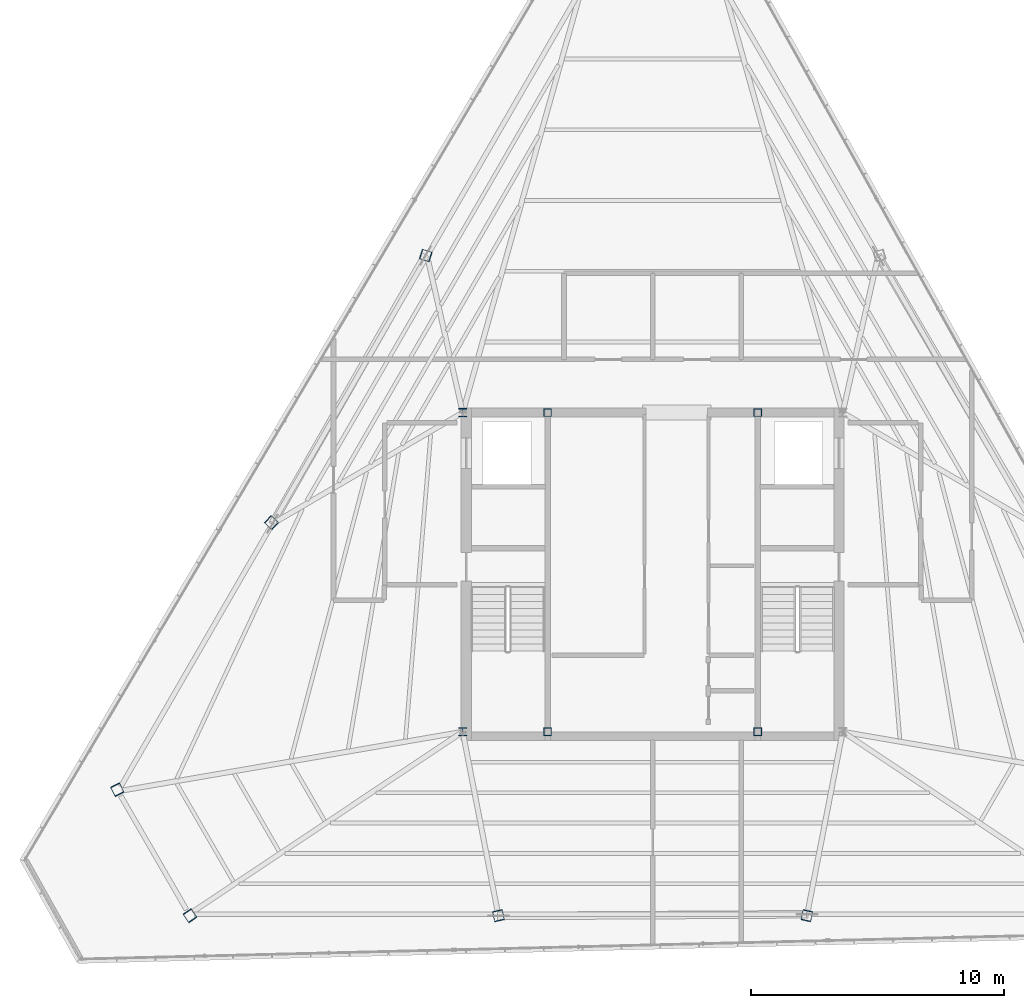
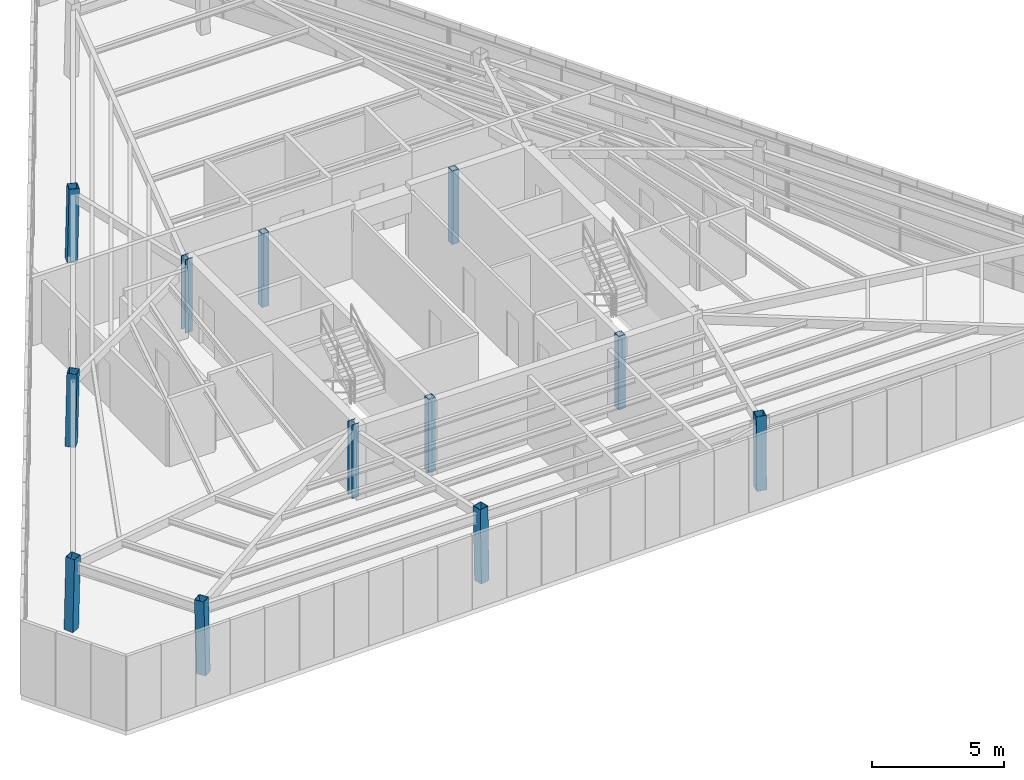
# One storey, part 1 of 44: 12 columns.
"""IFC4 building model written with IfcOpenShell, lengths in metres."""

import ifcopenshell
import ifcopenshell.guid

model = None  # the IFC model being written
_history = None  # IfcOwnerHistory: only IFC2X3 demands one
_inside = {}  # id of a spatial element -> (the spatial element, [elements in it])
_under = {}  # id of a project, library or spatial element -> (it, [spatial elements below it])
_declared = {}  # id of a project -> (the project, [libraries it declares])
_typed = {}  # id of a type object -> (the type object, [elements of that type])
_made_of = {}  # id of a material, layer set ... -> (it, [elements and type objects made of it])


def new_model(schema):
    """Start an empty IFC model of exactly this schema.

    Asked for "IFC4X3", IfcOpenShell would pick the latest addendum, in which some entities
    have other attributes; the version numbers below select the first issue.
    IFC2X3 requires an IfcOwnerHistory on every rooted entity: one is made here for all.
    """
    global model, _history
    if schema == "IFC4X3":
        model = ifcopenshell.file(schema_version=(4, 3, 0, 0))
    else:
        model = ifcopenshell.file(schema=schema)
    _inside.clear()
    _under.clear()
    _declared.clear()
    _typed.clear()
    _made_of.clear()
    _history = None
    if model.schema == "IFC2X3":
        org = make("IfcOrganization", Name="unknown")
        user = make(
            "IfcPersonAndOrganization",
            ThePerson=make("IfcPerson", FamilyName="unknown"),
            TheOrganization=org,
        )
        app = make(
            "IfcApplication",
            ApplicationDeveloper=org,
            Version="unknown",
            ApplicationFullName="unknown",
            ApplicationIdentifier="unknown",
        )
        _history = make(
            "IfcOwnerHistory",
            OwningUser=user,
            OwningApplication=app,
            ChangeAction="ADDED",
            CreationDate=0,
        )
    return model


def make(cls, **values):
    """One entity of the class cls with the attributes given. An attribute that is None is left unset."""
    return model.create_entity(
        cls, **{name: value for name, value in values.items() if value is not None}
    )


def rooted(cls, **values):
    """An entity with a GlobalId (a new one), such as an element, a storey or a relation."""
    return make(cls, GlobalId=ifcopenshell.guid.new(), OwnerHistory=_history, **values)


def si_unit(unit_type, name, prefix=None):
    """IfcSIUnit, for example si_unit("LENGTHUNIT", "METRE", prefix="MILLI")."""
    return make("IfcSIUnit", UnitType=unit_type, Prefix=prefix, Name=name)


def assignment(units):
    """IfcUnitAssignment: the units of a project."""
    return None if units is None else make("IfcUnitAssignment", Units=units)


def point(xyz):
    """IfcCartesianPoint."""
    return None if xyz is None else make("IfcCartesianPoint", Coordinates=xyz)


def direction(xyz):
    """IfcDirection."""
    return None if xyz is None else make("IfcDirection", DirectionRatios=xyz)


def frame(location, z_axis=None, x_axis=None):
    """IfcAxis2Placement3D, a coordinate frame: its origin and axes. An axis left out is left unset."""
    return make(
        "IfcAxis2Placement3D",
        Location=point(location),
        Axis=direction(z_axis),
        RefDirection=direction(x_axis),
    )


def frame_2d(location, x_axis=None):
    """IfcAxis2Placement2D, a coordinate frame in the plane: its origin and x axis."""
    return make(
        "IfcAxis2Placement2D", Location=point(location), RefDirection=direction(x_axis)
    )


def origin():
    """The frame at (0, 0, 0) with its axes left unset."""
    return frame((0.0, 0.0, 0.0))


def origin_2d():
    """The frame at (0, 0) in the plane with its x axis left unset."""
    return frame_2d((0.0, 0.0))


def place(relative_to, where):
    """IfcLocalPlacement: puts the frame where relative to a parent placement (None: the world)."""
    return make(
        "IfcLocalPlacement", PlacementRelTo=relative_to, RelativePlacement=where
    )


def context(
    kind, dimensions, precision=None, world=None, true_north=None, identifier=None
):
    """IfcGeometricRepresentationContext, for example the 3D "Model" context."""
    return make(
        "IfcGeometricRepresentationContext",
        ContextIdentifier=identifier,
        ContextType=kind,
        CoordinateSpaceDimension=dimensions,
        Precision=precision,
        WorldCoordinateSystem=world,
        TrueNorth=true_north,
    )


def subcontext(parent, identifier, kind, view, scale=None):
    """IfcGeometricRepresentationSubContext, for example "Body" below "Model"."""
    return make(
        "IfcGeometricRepresentationSubContext",
        ContextIdentifier=identifier,
        ContextType=kind,
        ParentContext=parent,
        TargetScale=scale,
        TargetView=view,
    )


def project(units=None, contexts=None):
    """IfcProject with its units and contexts."""
    return rooted(
        "IfcProject",
        Name="project",
        RepresentationContexts=contexts,
        UnitsInContext=assignment(units),
    )


def spatial(cls, under=None, at=None, **own):
    """A site, building, storey or space (cls), placed at a placement, below another one or the project."""
    s = rooted(cls, ObjectPlacement=at, **own)
    if under is not None:
        _under.setdefault(under.id(), (under, []))[1].append(s)
    return s


def profile(cls, at=None, kind="AREA", **sizes):
    """A parametric profile (cls). Its sizes go by their IFC names, for example OverallWidth=200.0."""
    return make(cls, ProfileType=kind, Position=at, **sizes)


def hollow_rectangle(**sizes):
    """IfcRectangleHollowProfileDef."""
    return profile("IfcRectangleHollowProfileDef", **sizes)


def i_section(**sizes):
    """IfcIShapeProfileDef."""
    return profile("IfcIShapeProfileDef", **sizes)


def extrude(swept, where, along, depth):
    """IfcExtrudedAreaSolid: the profile swept, set in the frame where, extruded along a direction by depth."""
    return make(
        "IfcExtrudedAreaSolid",
        SweptArea=swept,
        Position=where,
        ExtrudedDirection=direction(along),
        Depth=depth,
    )


def shape(context_of_items, identifier, shape_type, items):
    """IfcShapeRepresentation: the items that make up one representation, for example the "Body"."""
    return make(
        "IfcShapeRepresentation",
        ContextOfItems=context_of_items,
        RepresentationIdentifier=identifier,
        RepresentationType=shape_type,
        Items=items,
    )


def source(mapping_origin, context_of_items, identifier, shape_type, items):
    """IfcRepresentationMap: a shape defined once, which mapped items show again and again."""
    return make(
        "IfcRepresentationMap",
        MappingOrigin=mapping_origin,
        MappedRepresentation=shape(context_of_items, identifier, shape_type, items),
    )


def transform(
    local_origin,
    x_axis=None,
    y_axis=None,
    z_axis=None,
    scale=None,
    scale2=None,
    scale3=None,
    uniform=True,
):
    """IfcCartesianTransformationOperator3D, or its non-uniform kind. x_axis, y_axis, z_axis: its Axis1, 2, 3."""
    if uniform:
        return make(
            "IfcCartesianTransformationOperator3D",
            Axis1=direction(x_axis),
            Axis2=direction(y_axis),
            LocalOrigin=point(local_origin),
            Scale=scale,
            Axis3=direction(z_axis),
        )
    return make(
        "IfcCartesianTransformationOperator3DnonUniform",
        Axis1=direction(x_axis),
        Axis2=direction(y_axis),
        LocalOrigin=point(local_origin),
        Scale=scale,
        Axis3=direction(z_axis),
        Scale2=scale2,
        Scale3=scale3,
    )


def mapped(mapping_source, mapping_target):
    """IfcMappedItem: shows the shape of a source again, moved by a transform."""
    return make(
        "IfcMappedItem", MappingSource=mapping_source, MappingTarget=mapping_target
    )


def material(Name=None, Category=None):
    """IfcMaterial."""
    return make("IfcMaterial", Name=Name, Category=Category)


def material_profile(
    of_material, cross_section, Name=None, Category=None, Priority=None
):
    """IfcMaterialProfile: a cross section and its material."""
    return make(
        "IfcMaterialProfile",
        Name=Name,
        Material=of_material,
        Profile=cross_section,
        Priority=Priority,
        Category=Category,
    )


def profile_set(profiles, Name=None, composite=None):
    """IfcMaterialProfileSet."""
    return make(
        "IfcMaterialProfileSet",
        Name=Name,
        MaterialProfiles=profiles,
        CompositeProfile=composite,
    )


def made_of(thing, what):
    """Note that an element or type object is made of a material, layer set ...; save() writes the relation."""
    if what is not None:
        _made_of.setdefault(what.id(), (what, []))[1].append(thing)
    return thing


def type_object(cls, material=None, **own):
    """A type object (cls), such as IfcWallType, which elements share."""
    return made_of(rooted(cls, **own), material)


def type_shapes(of_type, sources):
    """Give a type object the sources (RepresentationMaps) that its elements show as mapped items."""
    of_type.RepresentationMaps = sources


def element(
    cls,
    number,
    at=None,
    inside=None,
    cuts=None,
    type_object=None,
    material=None,
    context=None,
    identifier="Body",
    shape_type=None,
    held_by="IfcProductDefinitionShape",
    body=None,
    shapes=None,
    **own,
):
    """One element of the class cls, such as IfcWall. Its Tag is "e" and its number.

    at: its placement. inside: the storey or other place that contains it. cuts: it is an
    opening in that element (IfcRelVoidsElement). A single representation is given by context,
    identifier, shape_type and body (its items); several are given by shapes. held_by: the class
    of the entity that holds the representations. save() writes the other relations.
    """
    e = rooted(cls, Tag="e%d" % number, ObjectPlacement=at, **own)
    if body is not None:
        shapes = [shape(context, identifier, shape_type, body)]
    if shapes is not None:
        e.Representation = make(held_by, Representations=shapes)
    if inside is not None:
        _inside.setdefault(inside.id(), (inside, []))[1].append(e)
    if cuts is not None:
        rooted(
            "IfcRelVoidsElement", RelatingBuildingElement=cuts, RelatedOpeningElement=e
        )
    if type_object is not None:
        _typed.setdefault(type_object.id(), (type_object, []))[1].append(e)
    return made_of(e, material)


def aggregate(whole, parts):
    """IfcRelAggregates: a whole, such as a stair, and the parts it consists of."""
    return rooted("IfcRelAggregates", RelatingObject=whole, RelatedObjects=parts)


def save(model, path):
    """Write the relations noted so far, then the file.

    IfcRelAggregates (storeys below a building ...), IfcRelContainedInSpatialStructure (elements
    in a storey), IfcRelDefinesByType, IfcRelAssociatesMaterial and IfcRelDeclares: one each for
    every whole, place, type object, material and project.
    """
    for whole, parts in _under.values():
        aggregate(whole, parts)
    for where, things in _inside.values():
        rooted(
            "IfcRelContainedInSpatialStructure",
            RelatedElements=things,
            RelatingStructure=where,
        )
    for kind, things in _typed.values():
        rooted("IfcRelDefinesByType", RelatedObjects=things, RelatingType=kind)
    for what, things in _made_of.values():
        rooted("IfcRelAssociatesMaterial", RelatedObjects=things, RelatingMaterial=what)
    for by, libraries in _declared.values():
        rooted("IfcRelDeclares", RelatingContext=by, RelatedDefinitions=libraries)
    model.write(path)


model = new_model("IFC4")

# Units and contexts
model_context = context("Model", 3, precision=1e-05, world=origin(), true_north=direction((0.0, 1.0)))
body_context = subcontext(model_context, "Body", "Model", "MODEL_VIEW")
ifc_project = project(units=[si_unit("LENGTHUNIT", "METRE"), si_unit("AREAUNIT", "SQUARE_METRE"), si_unit("VOLUMEUNIT", "CUBIC_METRE"), si_unit("PLANEANGLEUNIT", "RADIAN"), si_unit("MASSUNIT", "GRAM", prefix="KILO")], contexts=[model_context])

# Site, building, storey
site_placement = place(None, origin())
site = spatial("IfcSite", under=ifc_project, at=site_placement, CompositionType="ELEMENT")
building_placement = place(site_placement, origin())
building = spatial("IfcBuilding", under=site, at=building_placement, Name="Caelisora Broadcast Tower", CompositionType="ELEMENT")
storey_placement = place(building_placement, frame((0.0, 0.0, 296.60009765625)))
storey = spatial("IfcBuildingStorey", under=building, at=storey_placement, Name="L78", CompositionType="ELEMENT", Elevation=296.60009765625)

# Columns
ifc_material_1 = material(Name="Steel Grade 350 (AS/NZS 3679.1)", Category="steel")
ifc_material_profile_1 = material_profile(ifc_material_1, i_section(OverallWidth=0.31103515625, OverallDepth=0.3271484375, WebThickness=0.015625, FlangeThickness=0.02490234375, at=origin_2d()), Name="Steel Grade 350 (AS/NZS 3679.1)")
ifc_profile_set_1 = profile_set([ifc_material_profile_1], Name="Steel Grade 350 (AS/NZS 3679.1)")
column_type_1 = type_object("IfcColumnType", Name="CC03", PredefinedType="COLUMN", material=ifc_profile_set_1)
shared_shape_1 = source(origin(), body_context, "Body", "SweptSolid", [
    extrude(i_section(OverallWidth=0.31103515625, OverallDepth=0.3271484375, WebThickness=0.015625, FlangeThickness=0.02490234375, at=origin_2d()), origin(), (0.0, 0.0, 1.0), 3.39990234375),
])
type_shapes(column_type_1, [shared_shape_1])
for number, where, z_axis, x_axis, name in (
    (1, (30.5, 17.39990234375, 0.0), (0.0, 0.0, 1.0), (1.0, 0.0, 0.0), "L78 column CC03"),
    (2, (30.5, 30.0, 0.0), (0.0, 0.0, 1.0), (1.0, 0.0, 0.0), "L78 column CC03"),
):
    element("IfcColumn", number, at=place(storey_placement, frame(where, z_axis=z_axis, x_axis=x_axis)), inside=storey, type_object=column_type_1, Name=name, PredefinedType="COLUMN", context=body_context, shape_type="MappedRepresentation", body=[
        mapped(shared_shape_1, transform((0.0, 0.0, 0.0), scale=1.0)),
    ])
ifc_material_2 = material(Name="Steel Grade 350 (AS/NZS 1163 C350L0)", Category="steel")
ifc_material_profile_2 = material_profile(ifc_material_2, hollow_rectangle(XDim=0.300048828125, YDim=0.300048828125, WallThickness=0.012451171875, at=origin_2d()), Name="Steel Grade 350 (AS/NZS 1163 C350L0)")
ifc_profile_set_2 = profile_set([ifc_material_profile_2], Name="Steel Grade 350 (AS/NZS 1163 C350L0)")
column_type_2 = type_object("IfcColumnType", Name="CC08", PredefinedType="COLUMN", material=ifc_profile_set_2)
shared_shape_2 = source(origin(), body_context, "Body", "SweptSolid", [
    extrude(hollow_rectangle(XDim=0.300048828125, YDim=0.300048828125, WallThickness=0.012451171875, at=origin_2d()), origin(), (0.0, 0.0, 1.0), 3.39990234375),
])
type_shapes(column_type_2, [shared_shape_2])
for number, where, z_axis, x_axis, name in (
    (3, (33.85009765625, 17.39990234375, 0.0), (0.0, 0.0, 1.0), (1.0, 0.0, 0.0), "L78 column CC08"),
    (4, (42.14990234375, 17.39990234375, 0.0), (0.0, 0.0, 1.0), (1.0, 0.0, 0.0), "L78 column CC08"),
    (5, (33.85009765625, 30.0, 0.0), (0.0, 0.0, 1.0), (1.0, 0.0, 0.0), "L78 column CC08"),
    (6, (42.14990234375, 30.0, 0.0), (0.0, 0.0, 1.0), (1.0, 0.0, 0.0), "L78 column CC08"),
):
    element("IfcColumn", number, at=place(storey_placement, frame(where, z_axis=z_axis, x_axis=x_axis)), inside=storey, type_object=column_type_2, Name=name, PredefinedType="COLUMN", context=body_context, shape_type="MappedRepresentation", body=[
        mapped(shared_shape_2, transform((0.0, 0.0, 0.0), scale=1.0)),
    ])
ifc_material_profile_3 = material_profile(ifc_material_2, hollow_rectangle(XDim=0.39990234375, YDim=0.39990234375, WallThickness=0.01611328125, at=origin_2d()), Name="Steel Grade 350 (AS/NZS 1163 C350L0)")
ifc_profile_set_3 = profile_set([ifc_material_profile_3], Name="Steel Grade 350 (AS/NZS 1163 C350L0)")
column_type_3 = type_object("IfcColumnType", Name="MC08", PredefinedType="COLUMN", material=ifc_profile_set_3)
shared_shape_3 = source(origin(), body_context, "Body", "SweptSolid", [
    extrude(hollow_rectangle(XDim=0.39990234375, YDim=0.39990234375, WallThickness=0.01611328125, at=origin_2d()), origin(), (0.0, 0.0, 1.0), 3.40087890625),
])
for number, where, z_axis, x_axis, name in (
    (7, (16.85888671875, 15.12646484375, 0.0), (0.010480962996, -0.021608012752, 0.999711580007), (0.89974297722, 0.436420181641, 0.0), "L78 column MC08"),
    (8, (19.74462890625, 10.128173828125, 0.0), (-0.013424273829, 0.019813366721, 0.999713568664), (-0.827873758877, -0.560914467065, 0.0), "L78 column MC08"),
):
    element("IfcColumn", number, at=place(storey_placement, frame(where, z_axis=z_axis, x_axis=x_axis)), inside=storey, type_object=column_type_3, Name=name, PredefinedType="COLUMN", context=body_context, shape_type="MappedRepresentation", body=[
        mapped(shared_shape_3, transform((0.0, 0.0, 0.0), scale=1.0)),
    ])
shared_shape_4 = source(origin(), body_context, "Body", "SweptSolid", [
    extrude(hollow_rectangle(XDim=0.39990234375, YDim=0.39990234375, WallThickness=0.01611328125, at=origin_2d()), origin(), (0.0, 0.0, 1.0), 3.400634765625),
])
type_shapes(column_type_3, [shared_shape_3, shared_shape_4])
for number, where, z_axis, x_axis, name in (
    (9, (29.029296875, 36.205810546875, 0.0), (0.019384199241, -0.006030639764, 0.999793920868), (0.297066552636, 0.954856776331, 0.0), "L78 column MC08"),
    (10, (22.944091796875, 25.666015625, 0.0), (0.01493300613, -0.01378431335, 0.999793477691), (0.678280102733, 0.734803444627, 0.0), "L78 column MC08"),
    (11, (31.914794921875, 10.128173828125, 0.0), (-0.004451185758, 0.019814955956, 0.999793755965), (-0.975685404983, -0.219175706917, 0.0), "L78 column MC08"),
    (12, (44.085205078125, 10.128173828125, 0.0), (0.004451185758, 0.019814955956, 0.999793755965), (-0.975685404983, 0.219175706917, 0.0), "L78 column MC08"),
):
    element("IfcColumn", number, at=place(storey_placement, frame(where, z_axis=z_axis, x_axis=x_axis)), inside=storey, type_object=column_type_3, Name=name, PredefinedType="COLUMN", context=body_context, shape_type="MappedRepresentation", body=[
        mapped(shared_shape_4, transform((0.0, 0.0, 0.0), scale=1.0)),
    ])

save(model, "model.ifc")
